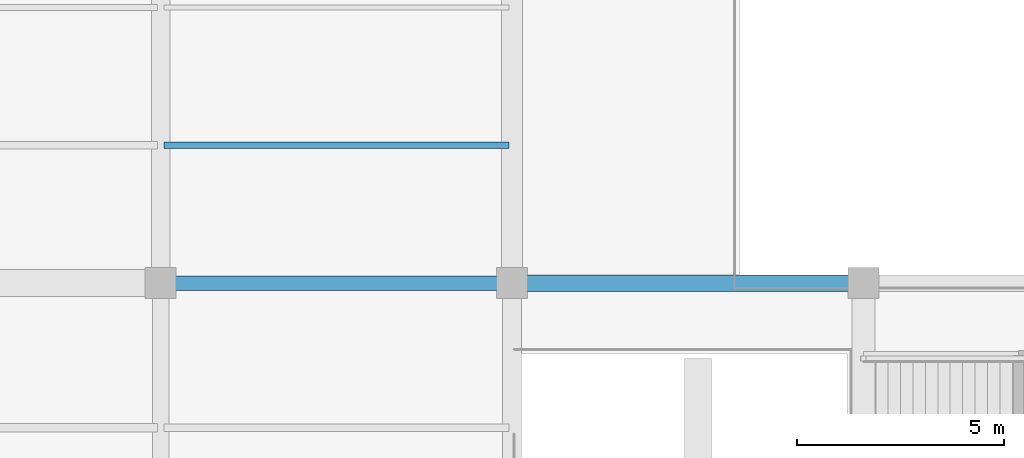
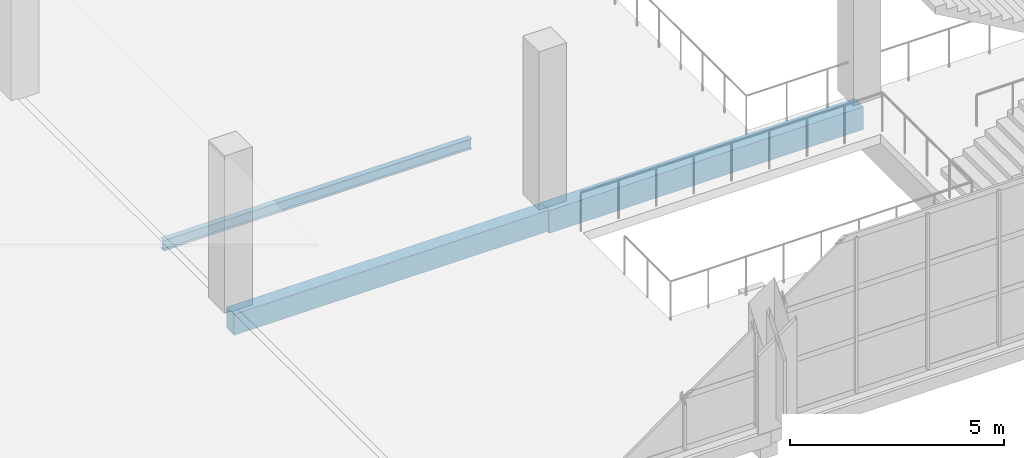
# One storey, part 16 of 112: 3 beams.
"""IFC4 building model written with IfcOpenShell, lengths in metres."""

from ifc_helpers import new_model, si_unit, direction, frame, origin, origin_2d, place, context, subcontext, project, spatial, rectangle, i_section, extrude, material, material_profile, profile_set, type_object, element, save


model = new_model("IFC4")

# Units and contexts
model_context = context("Model", 3, precision=1e-05, world=origin(), true_north=direction((0.0, 1.0)))
body_context = subcontext(model_context, "Body", "Model", "MODEL_VIEW")
ifc_project = project(units=[si_unit("LENGTHUNIT", "METRE"), si_unit("AREAUNIT", "SQUARE_METRE"), si_unit("VOLUMEUNIT", "CUBIC_METRE"), si_unit("PLANEANGLEUNIT", "RADIAN"), si_unit("MASSUNIT", "GRAM", prefix="KILO")], contexts=[model_context])

# Site, building, storey
site_placement = place(None, origin())
site = spatial("IfcSite", under=ifc_project, at=site_placement, CompositionType="ELEMENT")
building_placement = place(site_placement, origin())
building = spatial("IfcBuilding", under=site, at=building_placement, Name="Solvikara Media Centre", CompositionType="ELEMENT")
storey_placement = place(building_placement, frame((0.0, 0.0, 5.39990234375)))
storey = spatial("IfcBuildingStorey", under=building, at=storey_placement, Name="L01", CompositionType="ELEMENT", Elevation=5.39990234375)

# Beams
ifc_material_1 = material(Name="Concrete fc' 35 MPa (C35/45)", Category="concrete")
ifc_material_profile_1 = material_profile(ifc_material_1, rectangle(XDim=0.35009765625, YDim=0.60009765625, at=origin_2d()), Name="RC 350x600")
ifc_profile_set_1 = profile_set([ifc_material_profile_1], Name="Concrete fc' 35 MPa (C35/45)")
beam_type_1 = type_object("IfcBeamType", Name="BM-01", PredefinedType="BEAM", material=ifc_profile_set_1)
beam_1_placement = place(storey_placement, frame((34.0, 10.5, -0.559814453125), z_axis=(1.0, 0.0, 0.0), x_axis=(0.0, 1.0, 0.0)))
element("IfcBeam", 1, at=beam_1_placement, inside=storey, type_object=beam_type_1, Name="B-L01-X0457", PredefinedType="BEAM", context=body_context, shape_type="SweptSolid", body=[
    extrude(rectangle(XDim=0.35009765625, YDim=0.60009765625, at=origin_2d()), origin(), (0.0, 0.0, 1.0), 8.5),
])
ifc_material_profile_2 = material_profile(ifc_material_1, rectangle(XDim=0.39990234375, YDim=0.64990234375, at=origin_2d()), Name="RC 400x650")
ifc_profile_set_2 = profile_set([ifc_material_profile_2], Name="Concrete fc' 35 MPa (C35/45)")
beam_type_2 = type_object("IfcBeamType", Name="BM-02", PredefinedType="BEAM", material=ifc_profile_set_2)
beam_2_placement = place(storey_placement, frame((42.5, 10.5, -0.5849609375), z_axis=(1.0, 0.0, 0.0), x_axis=(0.0, 1.0, 0.0)))
element("IfcBeam", 2, at=beam_2_placement, inside=storey, type_object=beam_type_2, Name="B-L01-X0458", PredefinedType="BEAM", context=body_context, shape_type="SweptSolid", body=[
    extrude(rectangle(XDim=0.39990234375, YDim=0.64990234375, at=origin_2d()), origin(), (0.0, 0.0, 1.0), 8.5),
])
ifc_material_2 = material(Name="Steel S355JR", Category="steel")
ifc_material_profile_3 = material_profile(ifc_material_2, i_section(OverallWidth=0.14892578125, OverallDepth=0.298095703125, WebThickness=0.005615234375, FlangeThickness=0.008056640625, at=origin_2d()), Name="WF 298x149x5.5x8")
ifc_profile_set_3 = profile_set([ifc_material_profile_3], Name="Steel S355JR")
beam_type_3 = type_object("IfcBeamType", Name="BM-39", PredefinedType="JOIST", material=ifc_profile_set_3)
beam_3_placement = place(storey_placement, frame((34.077880859375, 13.8330078125, -0.410888671875), z_axis=(1.0, 0.0, 0.0), x_axis=(0.0, 1.0, 0.0)))
element("IfcBeam", 3, at=beam_3_placement, inside=storey, type_object=beam_type_3, Name="J-L01-0735", PredefinedType="JOIST", context=body_context, shape_type="SweptSolid", body=[
    extrude(i_section(OverallWidth=0.14892578125, OverallDepth=0.298095703125, WebThickness=0.005615234375, FlangeThickness=0.008056640625, at=origin_2d()), origin(), (0.0, 0.0, 1.0), 8.34423828125),
])

save(model, "model.ifc")
